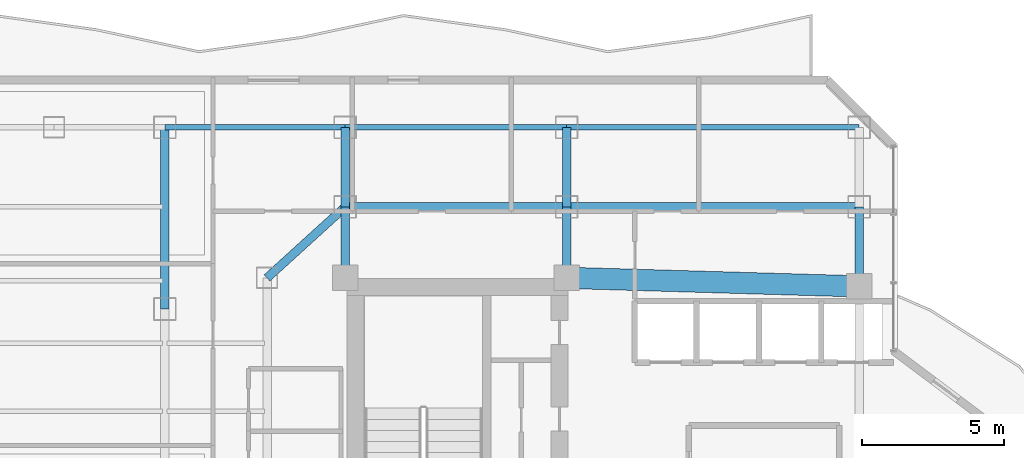
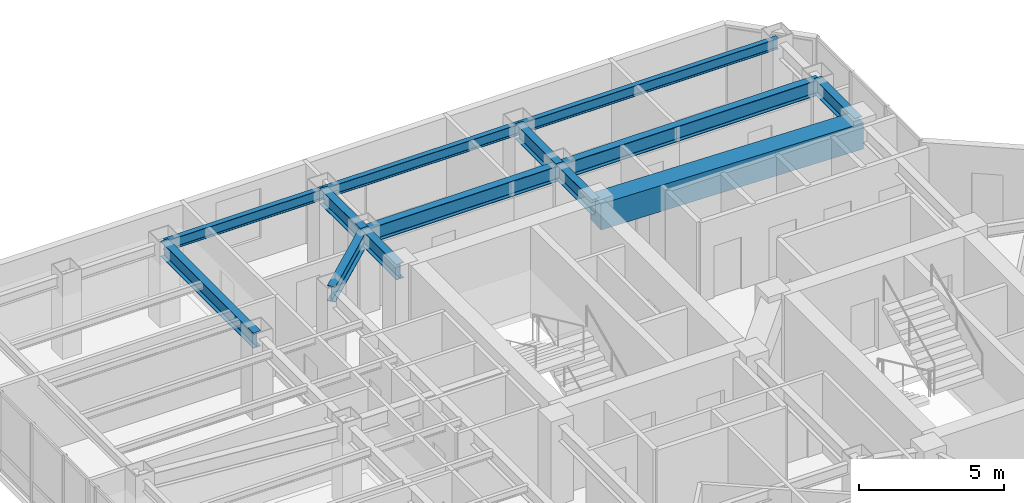
# One storey, part 18 of 27: 13 beams.
"""IFC4 building model written with IfcOpenShell, lengths in metres."""

from ifc_helpers import new_model, si_unit, direction, frame, origin, origin_2d, place, context, subcontext, project, spatial, rectangle, i_section, extrude, material, material_profile, profile_set, type_object, element, save


model = new_model("IFC4")

# Units and contexts
model_context = context("Model", 3, precision=1e-05, world=origin(), true_north=direction((0.0, 1.0)))
body_context = subcontext(model_context, "Body", "Model", "MODEL_VIEW")
ifc_project = project(units=[si_unit("LENGTHUNIT", "METRE"), si_unit("AREAUNIT", "SQUARE_METRE"), si_unit("VOLUMEUNIT", "CUBIC_METRE"), si_unit("PLANEANGLEUNIT", "RADIAN"), si_unit("MASSUNIT", "GRAM", prefix="KILO")], contexts=[model_context])

# Site, building, storey
site_placement = place(None, origin())
site = spatial("IfcSite", under=ifc_project, at=site_placement, CompositionType="ELEMENT")
building_placement = place(site_placement, origin())
building = spatial("IfcBuilding", under=site, at=building_placement, Name="Hatsunagi Terrace Concourse", CompositionType="ELEMENT")
storey_placement = place(building_placement, frame((0.0, 0.0, 163.64990234375)))
storey = spatial("IfcBuildingStorey", under=building, at=storey_placement, Name="L43", CompositionType="ELEMENT", Elevation=163.64990234375)

# Beams
ifc_material_1 = material(Name="Concrete Fc48", Category="concrete")
ifc_material_profile_1 = material_profile(ifc_material_1, rectangle(XDim=0.75, YDim=1.10009765625, at=origin_2d()), Name="RC-750x1100")
ifc_profile_set_1 = profile_set([ifc_material_profile_1], Name="Concrete Fc48")
beam_type_1 = type_object("IfcBeamType", Name="CoreCouplingBeam_RC_750x1100", PredefinedType="BEAM", material=ifc_profile_set_1)
beam_1_placement = place(storey_placement, frame((33.35009765625, 43.300048828125, 2.800048828125), z_axis=(0.999575947545, -0.029119153303, 0.0), x_axis=(0.029119153303, 0.999575947545, 0.0)))
element("IfcBeam", 1, at=beam_1_placement, inside=storey, type_object=beam_type_1, Name="Beam CB-02 CB-L43-2", PredefinedType="BEAM", context=body_context, shape_type="SweptSolid", body=[
    extrude(rectangle(XDim=0.75, YDim=1.10009765625, at=origin_2d()), origin(), (0.0, 0.0, 1.0), 10.30419921875),
])
ifc_material_2 = material(Name="Steel SN490B", Category="steel")
ifc_material_profile_2 = material_profile(ifc_material_2, i_section(OverallWidth=0.300048828125, OverallDepth=0.64990234375, WebThickness=0.012939453125, FlangeThickness=0.02197265625, FilletRadius=0.01806640625, at=origin_2d()), Name="H-650x300x13x22")
ifc_profile_set_2 = profile_set([ifc_material_profile_2], Name="Steel SN490B")
beam_type_2 = type_object("IfcBeamType", Name="OfficeLowGirder_H_650x300", PredefinedType="BEAM", material=ifc_profile_set_2)
for number, where, z_axis, x_axis, name in (
    (2, (25.550048828125, 43.300048828125, 3.025146484375), (0.0, 1.0, 0.0), (-1.0, 0.0, 0.0), "Beam G-05 BM-L43-CN1"),
    (3, (33.35009765625, 43.300048828125, 3.025146484375), (0.0, 1.0, 0.0), (-1.0, 0.0, 0.0), "Beam G-05 BM-L43-CN2"),
):
    element("IfcBeam", number, at=place(storey_placement, frame(where, z_axis=z_axis, x_axis=x_axis)), inside=storey, type_object=beam_type_2, Name=name, PredefinedType="BEAM", context=body_context, shape_type="SweptSolid", body=[
        extrude(i_section(OverallWidth=0.300048828125, OverallDepth=0.64990234375, WebThickness=0.012939453125, FlangeThickness=0.02197265625, FilletRadius=0.01806640625, at=origin_2d()), origin(), (0.0, 0.0, 1.0), 2.5),
    ])
beam_2_placement = place(storey_placement, frame((43.64990234375, 43.0, 3.025146484375), z_axis=(0.0, 1.0, 0.0), x_axis=(-1.0, 0.0, 0.0)))
element("IfcBeam", 4, at=beam_2_placement, inside=storey, type_object=beam_type_2, Name="Beam G-05 BM-L43-CN3", PredefinedType="BEAM", context=body_context, shape_type="SweptSolid", body=[
    extrude(i_section(OverallWidth=0.300048828125, OverallDepth=0.64990234375, WebThickness=0.012939453125, FlangeThickness=0.02197265625, FilletRadius=0.01806640625, at=origin_2d()), origin(), (0.0, 0.0, 1.0), 2.800048828125),
])
beam_3_placement = place(storey_placement, frame((25.550048828125, 45.800048828125, 3.025146484375), z_axis=(1.0, 0.0, 0.0), x_axis=(0.0, 1.0, 0.0)))
element("IfcBeam", 5, at=beam_3_placement, inside=storey, type_object=beam_type_2, Name="Beam G-05 BM-L43-CNEW1", PredefinedType="BEAM", context=body_context, shape_type="SweptSolid", body=[
    extrude(i_section(OverallWidth=0.300048828125, OverallDepth=0.64990234375, WebThickness=0.012939453125, FlangeThickness=0.02197265625, FilletRadius=0.01806640625, at=origin_2d()), origin(), (0.0, 0.0, 1.0), 7.800048828125),
])
beam_4_placement = place(storey_placement, frame((33.35009765625, 45.800048828125, 3.025146484375), z_axis=(1.0, 0.0, 0.0), x_axis=(0.0, 1.0, 0.0)))
element("IfcBeam", 6, at=beam_4_placement, inside=storey, type_object=beam_type_2, Name="Beam G-05 BM-L43-CNEW2", PredefinedType="BEAM", context=body_context, shape_type="SweptSolid", body=[
    extrude(i_section(OverallWidth=0.300048828125, OverallDepth=0.64990234375, WebThickness=0.012939453125, FlangeThickness=0.02197265625, FilletRadius=0.01806640625, at=origin_2d()), origin(), (0.0, 0.0, 1.0), 10.2998046875),
])
for number, where, z_axis, x_axis, name in (
    (7, (25.550048828125, 45.800048828125, 3.025146484375), (0.0, 1.0, 0.0), (-1.0, 0.0, 0.0), "Beam G-05 BM-L43-KN-WN4"),
    (8, (33.35009765625, 45.800048828125, 3.025146484375), (0.0, 1.0, 0.0), (-1.0, 0.0, 0.0), "Beam G-05 BM-L43-KN-WN5"),
):
    element("IfcBeam", number, at=place(storey_placement, frame(where, z_axis=z_axis, x_axis=x_axis)), inside=storey, type_object=beam_type_2, Name=name, PredefinedType="BEAM", context=body_context, shape_type="SweptSolid", body=[
        extrude(i_section(OverallWidth=0.300048828125, OverallDepth=0.64990234375, WebThickness=0.012939453125, FlangeThickness=0.02197265625, FilletRadius=0.01806640625, at=origin_2d()), origin(), (0.0, 0.0, 1.0), 2.800048828125),
    ])
beam_5_placement = place(storey_placement, frame((22.800048828125, 43.300048828125, 3.025146484375), z_axis=(0.739940073396, 0.672672793996, 0.0), x_axis=(-0.672672793996, 0.739940073396, 0.0)))
element("IfcBeam", 9, at=beam_5_placement, inside=storey, type_object=beam_type_2, Name="Beam G-05 BM-L43-CWEW-N", PredefinedType="BEAM", context=body_context, shape_type="SweptSolid", body=[
    extrude(i_section(OverallWidth=0.300048828125, OverallDepth=0.64990234375, WebThickness=0.012939453125, FlangeThickness=0.02197265625, FilletRadius=0.01806640625, at=origin_2d()), origin(), (0.0, 0.0, 1.0), 3.716552734375),
])
beam_6_placement = place(storey_placement, frame((19.199951171875, 42.199951171875, 3.025146484375), z_axis=(0.0, 1.0, 0.0), x_axis=(-1.0, 0.0, 0.0)))
element("IfcBeam", 10, at=beam_6_placement, inside=storey, type_object=beam_type_2, Name="Beam G-05 BM-L43-NS-19-42", PredefinedType="BEAM", context=body_context, shape_type="SweptSolid", body=[
    extrude(i_section(OverallWidth=0.300048828125, OverallDepth=0.64990234375, WebThickness=0.012939453125, FlangeThickness=0.02197265625, FilletRadius=0.01806640625, at=origin_2d()), origin(), (0.0, 0.0, 1.0), 6.400146484375),
])
ifc_material_3 = material(Name="Steel SN490B", Category="steel")
ifc_material_profile_3 = material_profile(ifc_material_3, i_section(OverallWidth=0.199951171875, OverallDepth=0.449951171875, WebThickness=0.009033203125, FlangeThickness=0.013916015625, FilletRadius=0.01611328125, at=origin_2d()), Name="H-450x200x9x14")
ifc_profile_set_3 = profile_set([ifc_material_profile_3], Name="Steel SN490B")
beam_type_3 = type_object("IfcBeamType", Name="PerimeterSpandrel_H_450x200", PredefinedType="SPANDREL", material=ifc_profile_set_3)
beam_7_placement = place(storey_placement, frame((19.199951171875, 48.60009765625, 3.125), z_axis=(1.0, 0.0, 0.0), x_axis=(0.0, 1.0, 0.0)))
element("IfcBeam", 11, at=beam_7_placement, inside=storey, type_object=beam_type_3, Name="Beam SP-02 BM-L43-WN-19", PredefinedType="SPANDREL", context=body_context, shape_type="SweptSolid", body=[
    extrude(i_section(OverallWidth=0.199951171875, OverallDepth=0.449951171875, WebThickness=0.009033203125, FlangeThickness=0.013916015625, FilletRadius=0.01611328125, at=origin_2d()), origin(), (0.0, 0.0, 1.0), 6.35009765625),
])
beam_8_placement = place(storey_placement, frame((25.550048828125, 48.60009765625, 3.125), z_axis=(1.0, 0.0, 0.0), x_axis=(0.0, 1.0, 0.0)))
element("IfcBeam", 12, at=beam_8_placement, inside=storey, type_object=beam_type_3, Name="Beam SP-02 BM-L43-WN-25", PredefinedType="SPANDREL", context=body_context, shape_type="SweptSolid", body=[
    extrude(i_section(OverallWidth=0.199951171875, OverallDepth=0.449951171875, WebThickness=0.009033203125, FlangeThickness=0.013916015625, FilletRadius=0.01611328125, at=origin_2d()), origin(), (0.0, 0.0, 1.0), 7.800048828125),
])
beam_9_placement = place(storey_placement, frame((33.35009765625, 48.60009765625, 3.125), z_axis=(1.0, 0.0, 0.0), x_axis=(0.0, 1.0, 0.0)))
element("IfcBeam", 13, at=beam_9_placement, inside=storey, type_object=beam_type_3, Name="Beam SP-02 BM-L43-WN-33", PredefinedType="SPANDREL", context=body_context, shape_type="SweptSolid", body=[
    extrude(i_section(OverallWidth=0.199951171875, OverallDepth=0.449951171875, WebThickness=0.009033203125, FlangeThickness=0.013916015625, FilletRadius=0.01611328125, at=origin_2d()), origin(), (0.0, 0.0, 1.0), 10.2998046875),
])

save(model, "model.ifc")
